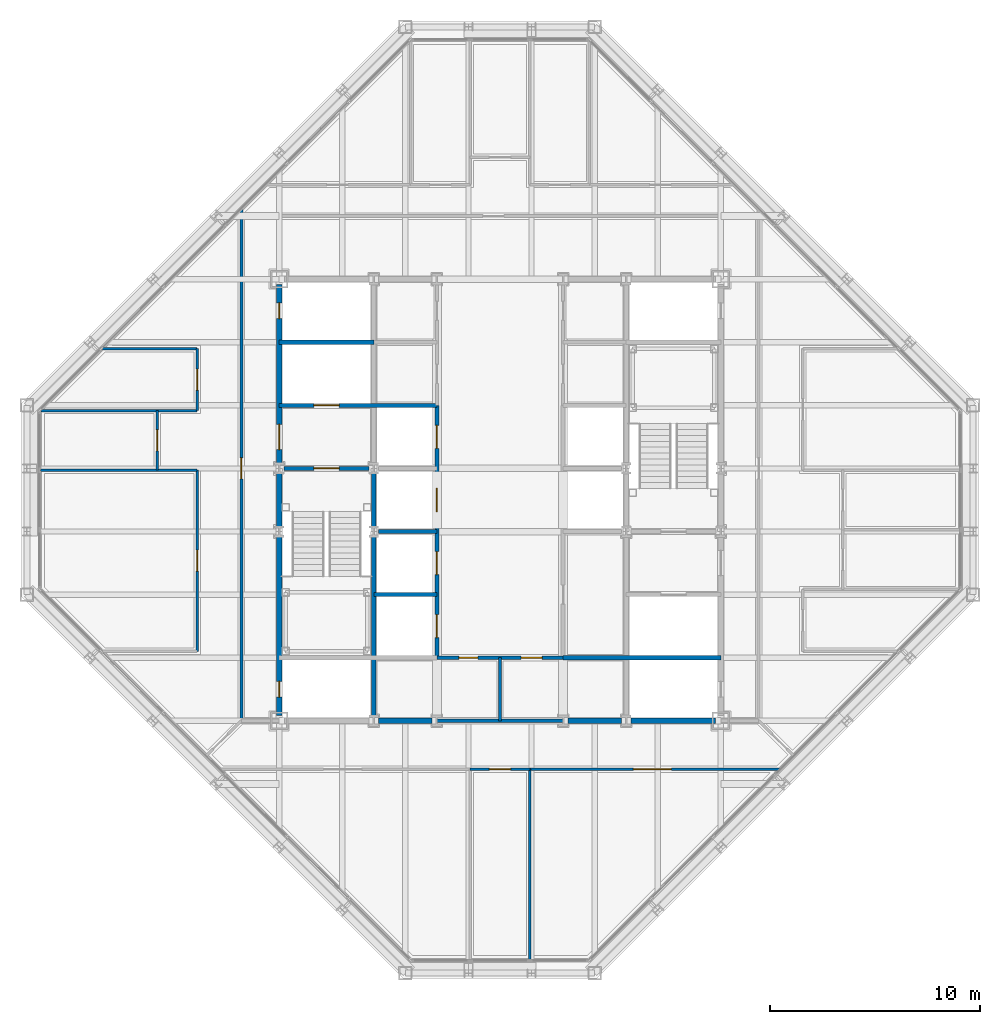
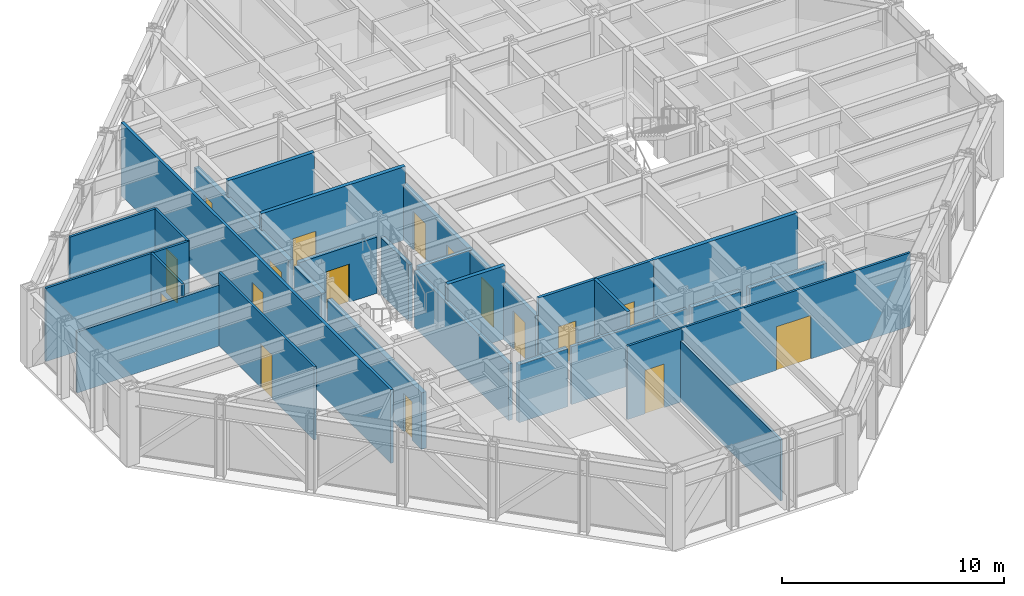
# One storey, part 10 of 15: 28 walls, 17 doors, 17 openings.
"""IFC4 building model written with IfcOpenShell, lengths in metres."""

from ifc_helpers import new_model, si_unit, direction, frame, frame_2d, origin, place, context, subcontext, project, spatial, rectangle, extrude, material, layer, layer_set, type_object, element, fill, save


model = new_model("IFC4")

# Units and contexts
model_context = context("Model", 3, precision=1e-05, world=origin(), true_north=direction((0.0, 1.0)))
body_context = subcontext(model_context, "Body", "Model", "MODEL_VIEW")
ifc_project = project(units=[si_unit("LENGTHUNIT", "METRE"), si_unit("AREAUNIT", "SQUARE_METRE"), si_unit("VOLUMEUNIT", "CUBIC_METRE"), si_unit("PLANEANGLEUNIT", "RADIAN"), si_unit("MASSUNIT", "GRAM", prefix="KILO")], contexts=[model_context])

# Site, building, storey
site_placement = place(None, origin())
site = spatial("IfcSite", under=ifc_project, at=site_placement, CompositionType="ELEMENT")
building_placement = place(site_placement, origin())
building = spatial("IfcBuilding", under=site, at=building_placement, Name="Chuquiago Exchange Tower", CompositionType="ELEMENT")
storey_placement = place(building_placement, frame((0.0, 0.0, 266.39990234375)))
storey = spatial("IfcBuildingStorey", under=building, at=storey_placement, Name="L59", CompositionType="ELEMENT", Elevation=266.39990234375)

# Wall, opening, door
ifc_material_1 = material(Name="Concrete masonry, fully grouted", Category="masonry")
ifc_layer_1 = layer(ifc_material_1, 0.25)
ifc_layer_set_1 = layer_set([ifc_layer_1], Name="W1 core wall 250")
wall_type_1 = type_object("IfcWallType", Name="W1 core wall 250", PredefinedType="SOLIDWALL", material=ifc_layer_set_1)
wall_1_placement = place(storey_placement, frame((12.0, 12.25, 0.0), z_axis=(0.0, 0.0, 1.0), x_axis=(0.0, 1.0, 0.0)))
wall_1 = element("IfcWall", 1, at=wall_1_placement, inside=storey, type_object=wall_type_1, Name="CW-L59-00-0", PredefinedType="SOLIDWALL", context=body_context, shape_type="SweptSolid", body=[
    extrude(rectangle(XDim=8.5, YDim=0.25, at=frame_2d((4.25, 0.0))), origin(), (0.0, 0.0, 1.0), 3.113037109375),
])
opening_1_placement = place(wall_1_placement, frame((0.875, 0.0, 0.0)))
opening_1 = element("IfcOpeningElement", 2, at=opening_1_placement, cuts=wall_1, Name="Opening L59-007", PredefinedType="OPENING", context=body_context, shape_type="SweptSolid", body=[
    extrude(rectangle(XDim=0.75, YDim=2.10009765625, at=frame_2d((0.375, 1.050048828125))), frame((0.0, 0.135009765625, 0.0), z_axis=(0.0, -1.0, 0.0), x_axis=(1.0, 0.0, 0.0)), (0.0, 0.0, 1.0), 0.27001953125),
])
ifc_material_2 = material(Name="Steel door, painted", Category="steel")
door_type_1 = type_object("IfcDoorType", Name="D6 riser access door 750x2100", OperationType="SINGLE_SWING_LEFT", PredefinedType="DOOR", material=ifc_material_2)
door_1_placement = place(opening_1_placement, frame((0.75, 0.0, 0.0), z_axis=(0.0, 0.0, 1.0), x_axis=(-1.0, 0.0, 0.0)))
door_1 = element("IfcDoor", 3, at=door_1_placement, inside=storey, type_object=door_type_1, Name="Riser RW1 door", OperationType="SINGLE_SWING_RIGHT", OverallHeight=2.10009765625, OverallWidth=0.75, PredefinedType="DOOR", context=body_context, shape_type="SweptSolid", body=[
    extrude(rectangle(XDim=0.75, YDim=2.10009765625, at=frame_2d((0.375, 1.050048828125))), frame((0.0, 0.02490234375, 0.0), z_axis=(0.0, -1.0, 0.0), x_axis=(1.0, 0.0, 0.0)), (0.0, 0.0, 1.0), 0.050048828125),
])
fill(opening_1, door_1)

# Wall
wall_2_placement = place(storey_placement, frame((12.0, 21.25, 0.0), z_axis=(0.0, 0.0, 1.0), x_axis=(0.0, 1.0, 0.0)))
element("IfcWall", 4, at=wall_2_placement, inside=storey, type_object=wall_type_1, Name="CW-L59-00-1", PredefinedType="SOLIDWALL", context=body_context, shape_type="SweptSolid", body=[
    extrude(rectangle(XDim=2.5, YDim=0.25, at=frame_2d((1.25, 0.0))), origin(), (0.0, 0.0, 1.0), 3.113037109375),
])

# Wall, openings, doors
wall_3_placement = place(storey_placement, frame((12.0, 24.25, 0.0), z_axis=(0.0, 0.0, 1.0), x_axis=(0.0, 1.0, 0.0)))
wall_3 = element("IfcWall", 5, at=wall_3_placement, inside=storey, type_object=wall_type_1, Name="CW-L59-00-2", PredefinedType="SOLIDWALL", context=body_context, shape_type="SweptSolid", body=[
    extrude(rectangle(XDim=8.5, YDim=0.25, at=frame_2d((4.25, 0.0))), origin(), (0.0, 0.0, 1.0), 3.113037109375),
])
opening_2_placement = place(wall_3_placement, frame((0.64990234375, 0.0, 0.0)))
opening_2 = element("IfcOpeningElement", 6, at=opening_2_placement, cuts=wall_3, Name="Opening L59-002", PredefinedType="OPENING", context=body_context, shape_type="SweptSolid", body=[
    extrude(rectangle(XDim=1.199951171875, YDim=2.10009765625, at=frame_2d((0.60009765625, 1.050048828125))), frame((0.0, 0.135009765625, 0.0), z_axis=(0.0, -1.0, 0.0), x_axis=(1.0, 0.0, 0.0)), (0.0, 0.0, 1.0), 0.27001953125),
])
opening_3_placement = place(wall_3_placement, frame((6.875, 0.0, 0.0)))
opening_3 = element("IfcOpeningElement", 7, at=opening_3_placement, cuts=wall_3, Name="Opening L59-008", PredefinedType="OPENING", context=body_context, shape_type="SweptSolid", body=[
    extrude(rectangle(XDim=0.75, YDim=2.10009765625, at=frame_2d((0.375, 1.050048828125))), frame((0.0, 0.135009765625, 0.0), z_axis=(0.0, -1.0, 0.0), x_axis=(1.0, 0.0, 0.0)), (0.0, 0.0, 1.0), 0.27001953125),
])
ifc_material_3 = material(Name="Steel door, painted", Category="steel")
door_type_2 = type_object("IfcDoorType", Name="D5 firefighting lobby door 1200x2100", OperationType="SINGLE_SWING_LEFT", PredefinedType="DOOR", material=ifc_material_3)
door_2_placement = place(opening_2_placement, frame((1.199951171875, 0.0, 0.0), z_axis=(0.0, 0.0, 1.0), x_axis=(-1.0, 0.0, 0.0)))
door_2 = element("IfcDoor", 8, at=door_2_placement, inside=storey, type_object=door_type_2, Name="Firefighting lobby 1 door", OperationType="SINGLE_SWING_RIGHT", OverallHeight=2.10009765625, OverallWidth=1.199951171875, PredefinedType="DOOR", context=body_context, shape_type="SweptSolid", body=[
    extrude(rectangle(XDim=1.199951171875, YDim=2.10009765625, at=frame_2d((0.60009765625, 1.050048828125))), frame((0.0, 0.02490234375, 0.0), z_axis=(0.0, -1.0, 0.0), x_axis=(1.0, 0.0, 0.0)), (0.0, 0.0, 1.0), 0.050048828125),
])
fill(opening_2, door_2)
door_3_placement = place(opening_3_placement, frame((0.75, 0.0, 0.0), z_axis=(0.0, 0.0, 1.0), x_axis=(-1.0, 0.0, 0.0)))
door_3 = element("IfcDoor", 9, at=door_3_placement, inside=storey, type_object=door_type_1, Name="Riser RW2 door", OperationType="SINGLE_SWING_LEFT", OverallHeight=2.10009765625, OverallWidth=0.75, PredefinedType="DOOR", context=body_context, shape_type="SweptSolid", body=[
    extrude(rectangle(XDim=0.75, YDim=2.10009765625, at=frame_2d((0.375, 1.050048828125))), frame((0.0, 0.02490234375, 0.0), z_axis=(0.0, -1.0, 0.0), x_axis=(1.0, 0.0, 0.0)), (0.0, 0.0, 1.0), 0.050048828125),
])
fill(opening_3, door_3)

# Walls
for number, where, z_axis, x_axis, name in (
    (10, (16.724853515625, 12.0, 0.0), (0.0, 0.0, 1.0), (1.0, 0.0, 0.0), "CW-L59-01-1"),
    (11, (25.724853515625, 12.0, 0.0), (0.0, 0.0, 1.0), (1.0, 0.0, 0.0), "CW-L59-02-0"),
):
    element("IfcWall", number, at=place(storey_placement, frame(where, z_axis=z_axis, x_axis=x_axis)), inside=storey, type_object=wall_type_1, Name=name, PredefinedType="SOLIDWALL", context=body_context, shape_type="SweptSolid", body=[
        extrude(rectangle(XDim=2.55029296875, YDim=0.25, at=frame_2d((1.275146484375, 0.0))), origin(), (0.0, 0.0, 1.0), 3.181640625),
    ])
wall_4_placement = place(storey_placement, frame((28.724853515625, 12.0, 0.0), z_axis=(0.0, 0.0, 1.0), x_axis=(1.0, 0.0, 0.0)))
element("IfcWall", 12, at=wall_4_placement, inside=storey, type_object=wall_type_1, Name="CW-L59-02-1", PredefinedType="SOLIDWALL", context=body_context, shape_type="SweptSolid", body=[
    extrude(rectangle(XDim=4.025146484375, YDim=0.25, at=frame_2d((2.0126953125, 0.0))), origin(), (0.0, 0.0, 1.0), 3.181640625),
])

# Wall, opening, door
ifc_material_4 = material(Name="Gypsum board on steel studs, acoustic insulation", Category="steel")
ifc_layer_2 = layer(ifc_material_4, 0.14990234375)
ifc_layer_set_2 = layer_set([ifc_layer_2], Name="W11 corridor wall 150")
wall_type_2 = type_object("IfcWallType", Name="W11 corridor wall 150", PredefinedType="PARTITIONING", material=ifc_layer_set_2)
wall_5_placement = place(storey_placement, frame((10.199951171875, 12.0, 0.0), z_axis=(0.0, 0.0, 1.0), x_axis=(0.0, 1.0, 0.0)))
wall_5 = element("IfcWall", 13, at=wall_5_placement, inside=storey, type_object=wall_type_2, Name="PW-L59-GW0", PredefinedType="PARTITIONING", context=body_context, shape_type="SweptSolid", body=[
    extrude(rectangle(XDim=24.314453125, YDim=0.14990234375, at=frame_2d((12.1572265625, 0.0))), origin(), (0.0, 0.0, 1.0), 4.0400390625),
])
opening_4_placement = place(wall_5_placement, frame((11.5, 0.0, 0.0)))
opening_4 = element("IfcOpeningElement", 14, at=opening_4_placement, cuts=wall_5, Name="Opening L59-038", PredefinedType="OPENING", context=body_context, shape_type="SweptSolid", body=[
    extrude(rectangle(XDim=1.0, YDim=2.39990234375, at=frame_2d((0.5, 1.199951171875))), frame((0.0, 0.0849609375, 0.0), z_axis=(0.0, -1.0, 0.0), x_axis=(1.0, 0.0, 0.0)), (0.0, 0.0, 1.0), 0.169921875),
])
ifc_material_5 = material(Name="Timber door, laminate faced", Category="wood")
door_type_3 = type_object("IfcDoorType", Name="D9 room door 1000x2400", OperationType="SINGLE_SWING_LEFT", PredefinedType="DOOR", material=ifc_material_5)
door_4_placement = place(opening_4_placement, origin())
door_4 = element("IfcDoor", 15, at=door_4_placement, inside=storey, type_object=door_type_3, Name="Team area door", OperationType="SINGLE_SWING_LEFT", OverallHeight=2.39990234375, OverallWidth=1.0, PredefinedType="DOOR", context=body_context, shape_type="SweptSolid", body=[
    extrude(rectangle(XDim=1.0, YDim=2.39990234375, at=frame_2d((0.5, 1.199951171875))), frame((0.0, 0.02490234375, 0.0), z_axis=(0.0, -1.0, 0.0), x_axis=(1.0, 0.0, 0.0)), (0.0, 0.0, 1.0), 0.050048828125),
])
fill(opening_4, door_4)

# Wall
ifc_material_6 = material(Name="Concrete masonry, fully grouted", Category="masonry")
ifc_layer_3 = layer(ifc_material_6, 0.199951171875)
ifc_layer_set_3 = layer_set([ifc_layer_3], Name="W2 shaft wall 200")
wall_type_3 = type_object("IfcWallType", Name="W2 shaft wall 200", PredefinedType="SOLIDWALL", material=ifc_layer_set_3)
wall_6_placement = place(storey_placement, frame((25.5, 15.0, 0.0), z_axis=(0.0, 0.0, 1.0), x_axis=(1.0, 0.0, 0.0)))
element("IfcWall", 16, at=wall_6_placement, inside=storey, type_object=wall_type_3, Name="CW-L59-04-0", PredefinedType="SOLIDWALL", context=body_context, shape_type="SweptSolid", body=[
    extrude(rectangle(XDim=7.5, YDim=0.199951171875, at=frame_2d((3.75, 0.0))), origin(), (0.0, 0.0, 1.0), 4.0400390625),
])

# Wall, opening, door
wall_7_placement = place(storey_placement, frame((12.224853515625, 24.0, 0.0), z_axis=(0.0, 0.0, 1.0), x_axis=(1.0, 0.0, 0.0)))
wall_7 = element("IfcWall", 17, at=wall_7_placement, inside=storey, type_object=wall_type_3, Name="CW-L59-05-0", PredefinedType="SOLIDWALL", context=body_context, shape_type="SweptSolid", body=[
    extrude(rectangle(XDim=4.05029296875, YDim=0.199951171875, at=frame_2d((2.025146484375, 0.0))), origin(), (0.0, 0.0, 1.0), 3.090087890625),
])
opening_5_placement = place(wall_7_placement, frame((1.42529296875, 0.0, 0.0)))
opening_5 = element("IfcOpeningElement", 18, at=opening_5_placement, cuts=wall_7, Name="Opening L59-001", PredefinedType="OPENING", context=body_context, shape_type="SweptSolid", body=[
    extrude(rectangle(XDim=1.199951171875, YDim=2.10009765625, at=frame_2d((0.60009765625, 1.050048828125))), frame((0.0, 0.10986328125, 0.0), z_axis=(0.0, -1.0, 0.0), x_axis=(1.0, 0.0, 0.0)), (0.0, 0.0, 1.0), 0.219970703125),
])
ifc_material_7 = material(Name="Steel door, painted", Category="steel")
door_type_4 = type_object("IfcDoorType", Name="D4 stair door 1200x2100", OperationType="SINGLE_SWING_LEFT", PredefinedType="DOOR", material=ifc_material_7)
door_5_placement = place(opening_5_placement, frame((1.199951171875, 0.0, 0.0), z_axis=(0.0, 0.0, 1.0), x_axis=(-1.0, 0.0, 0.0)))
door_5 = element("IfcDoor", 19, at=door_5_placement, inside=storey, type_object=door_type_4, Name="Stair ST1 door", OperationType="SINGLE_SWING_RIGHT", OverallHeight=2.10009765625, OverallWidth=1.199951171875, PredefinedType="DOOR", context=body_context, shape_type="SweptSolid", body=[
    extrude(rectangle(XDim=1.199951171875, YDim=2.10009765625, at=frame_2d((0.60009765625, 1.050048828125))), frame((0.0, 0.02490234375, 0.0), z_axis=(0.0, -1.0, 0.0), x_axis=(1.0, 0.0, 0.0)), (0.0, 0.0, 1.0), 0.050048828125),
])
fill(opening_5, door_5)

wall_8_placement = place(storey_placement, frame((12.0, 27.0, 0.0), z_axis=(0.0, 0.0, 1.0), x_axis=(1.0, 0.0, 0.0)))
wall_8 = element("IfcWall", 20, at=wall_8_placement, inside=storey, type_object=wall_type_3, Name="CW-L59-07-0", PredefinedType="SOLIDWALL", context=body_context, shape_type="SweptSolid", body=[
    extrude(rectangle(XDim=7.5, YDim=0.199951171875, at=frame_2d((3.75, 0.0))), origin(), (0.0, 0.0, 1.0), 4.0400390625),
])
opening_6_placement = place(wall_8_placement, frame((1.64990234375, 0.0, 0.0)))
opening_6 = element("IfcOpeningElement", 21, at=opening_6_placement, cuts=wall_8, Name="Opening L59-005", PredefinedType="OPENING", context=body_context, shape_type="SweptSolid", body=[
    extrude(rectangle(XDim=1.199951171875, YDim=2.10009765625, at=frame_2d((0.60009765625, 1.050048828125))), frame((0.0, 0.10986328125, 0.0), z_axis=(0.0, -1.0, 0.0), x_axis=(1.0, 0.0, 0.0)), (0.0, 0.0, 1.0), 0.219970703125),
])
ifc_material_8 = material(Name="Stainless steel lift landing door", Category="steel")
door_type_5 = type_object("IfcDoorType", Name="LD2 firefighting lift landing door 1200x2100", OperationType="DOUBLE_DOOR_SLIDING", PredefinedType="DOOR", material=ifc_material_8)
door_6_placement = place(opening_6_placement, origin())
door_6 = element("IfcDoor", 22, at=door_6_placement, inside=storey, type_object=door_type_5, Name="Firefighting lift FL1 landing door", OperationType="DOUBLE_DOOR_SLIDING", OverallHeight=2.10009765625, OverallWidth=1.199951171875, PredefinedType="DOOR", context=body_context, shape_type="SweptSolid", body=[
    extrude(rectangle(XDim=1.199951171875, YDim=2.10009765625, at=frame_2d((0.60009765625, 1.050048828125))), frame((0.0, 0.02490234375, 0.0), z_axis=(0.0, -1.0, 0.0), x_axis=(1.0, 0.0, 0.0)), (0.0, 0.0, 1.0), 0.050048828125),
])
fill(opening_6, door_6)

# Walls
wall_9_placement = place(storey_placement, frame((12.0, 30.0, 0.0), z_axis=(0.0, 0.0, 1.0), x_axis=(1.0, 0.0, 0.0)))
element("IfcWall", 23, at=wall_9_placement, inside=storey, type_object=wall_type_3, Name="CW-L59-09-0", PredefinedType="SOLIDWALL", context=body_context, shape_type="SweptSolid", body=[
    extrude(rectangle(XDim=4.5, YDim=0.199951171875, at=frame_2d((2.25, 0.0))), origin(), (0.0, 0.0, 1.0), 4.0400390625),
])
wall_10_placement = place(storey_placement, frame((16.5, 12.25, 0.0), z_axis=(0.0, 0.0, 1.0), x_axis=(0.0, 1.0, 0.0)))
element("IfcWall", 24, at=wall_10_placement, inside=storey, type_object=wall_type_3, Name="CW-L59-13-0", PredefinedType="SOLIDWALL", context=body_context, shape_type="SweptSolid", body=[
    extrude(rectangle(XDim=8.5, YDim=0.199951171875, at=frame_2d((4.25, 0.0))), origin(), (0.0, 0.0, 1.0), 3.113037109375),
])
wall_11_placement = place(storey_placement, frame((16.5, 21.25, 0.0), z_axis=(0.0, 0.0, 1.0), x_axis=(0.0, 1.0, 0.0)))
element("IfcWall", 25, at=wall_11_placement, inside=storey, type_object=wall_type_3, Name="CW-L59-13-1", PredefinedType="SOLIDWALL", context=body_context, shape_type="SweptSolid", body=[
    extrude(rectangle(XDim=2.5, YDim=0.199951171875, at=frame_2d((1.25, 0.0))), origin(), (0.0, 0.0, 1.0), 3.113037109375),
])
wall_12_placement = place(storey_placement, frame((16.5, 18.0, 0.0), z_axis=(0.0, 0.0, 1.0), x_axis=(1.0, 0.0, 0.0)))
element("IfcWall", 26, at=wall_12_placement, inside=storey, type_object=wall_type_3, Name="CW-L59-14-0", PredefinedType="SOLIDWALL", context=body_context, shape_type="SweptSolid", body=[
    extrude(rectangle(XDim=3.0, YDim=0.199951171875, at=frame_2d((1.5, 0.0))), origin(), (0.0, 0.0, 1.0), 4.0400390625),
])
wall_13_placement = place(storey_placement, frame((16.724853515625, 21.0, 0.0), z_axis=(0.0, 0.0, 1.0), x_axis=(1.0, 0.0, 0.0)))
element("IfcWall", 27, at=wall_13_placement, inside=storey, type_object=wall_type_3, Name="CW-L59-16-0", PredefinedType="SOLIDWALL", context=body_context, shape_type="SweptSolid", body=[
    extrude(rectangle(XDim=2.775146484375, YDim=0.199951171875, at=frame_2d((1.3876953125, 0.0))), origin(), (0.0, 0.0, 1.0), 3.090087890625),
])

# Wall, openings, doors
wall_14_placement = place(storey_placement, frame((19.5, 15.0, 0.0), z_axis=(0.0, 0.0, 1.0), x_axis=(0.0, 1.0, 0.0)))
wall_14 = element("IfcWall", 28, at=wall_14_placement, inside=storey, type_object=wall_type_3, Name="CW-L59-19-0", PredefinedType="SOLIDWALL", context=body_context, shape_type="SweptSolid", body=[
    extrude(rectangle(XDim=12.0, YDim=0.199951171875, at=frame_2d((6.0, 0.0))), origin(), (0.0, 0.0, 1.0), 3.064697265625),
])
opening_7_placement = place(wall_14_placement, frame((0.949951171875, 0.0, 0.0)))
opening_7 = element("IfcOpeningElement", 29, at=opening_7_placement, cuts=wall_14, Name="Opening L59-018", PredefinedType="OPENING", context=body_context, shape_type="SweptSolid", body=[
    extrude(rectangle(XDim=1.10009765625, YDim=2.10009765625, at=frame_2d((0.550048828125, 1.050048828125))), frame((0.0, 0.10986328125, 0.0), z_axis=(0.0, -1.0, 0.0), x_axis=(1.0, 0.0, 0.0)), (0.0, 0.0, 1.0), 0.219970703125),
])
opening_8_placement = place(wall_14_placement, frame((3.949951171875, 0.0, 0.0)))
opening_8 = element("IfcOpeningElement", 30, at=opening_8_placement, cuts=wall_14, Name="Opening L59-019", PredefinedType="OPENING", context=body_context, shape_type="SweptSolid", body=[
    extrude(rectangle(XDim=1.10009765625, YDim=2.10009765625, at=frame_2d((0.550048828125, 1.050048828125))), frame((0.0, 0.10986328125, 0.0), z_axis=(0.0, -1.0, 0.0), x_axis=(1.0, 0.0, 0.0)), (0.0, 0.0, 1.0), 0.219970703125),
])
opening_9_placement = place(wall_14_placement, frame((6.949951171875, 0.0, 0.0)))
opening_9 = element("IfcOpeningElement", 31, at=opening_9_placement, cuts=wall_14, Name="Opening L59-020", PredefinedType="OPENING", context=body_context, shape_type="SweptSolid", body=[
    extrude(rectangle(XDim=1.10009765625, YDim=2.10009765625, at=frame_2d((0.550048828125, 1.050048828125))), frame((0.0, 0.10986328125, 0.0), z_axis=(0.0, -1.0, 0.0), x_axis=(1.0, 0.0, 0.0)), (0.0, 0.0, 1.0), 0.219970703125),
])
opening_10_placement = place(wall_14_placement, frame((9.949951171875, 0.0, 0.0)))
opening_10 = element("IfcOpeningElement", 32, at=opening_10_placement, cuts=wall_14, Name="Opening L59-021", PredefinedType="OPENING", context=body_context, shape_type="SweptSolid", body=[
    extrude(rectangle(XDim=1.10009765625, YDim=2.10009765625, at=frame_2d((0.550048828125, 1.050048828125))), frame((0.0, 0.10986328125, 0.0), z_axis=(0.0, -1.0, 0.0), x_axis=(1.0, 0.0, 0.0)), (0.0, 0.0, 1.0), 0.219970703125),
])
ifc_material_9 = material(Name="Stainless steel lift landing door", Category="steel")
door_type_6 = type_object("IfcDoorType", Name="LD1 lift landing door 1100x2100", OperationType="DOUBLE_DOOR_SLIDING", PredefinedType="DOOR", material=ifc_material_9)
door_7_placement = place(opening_7_placement, origin())
door_7 = element("IfcDoor", 33, at=door_7_placement, inside=storey, type_object=door_type_6, Name="Lift LD1 landing door", OperationType="DOUBLE_DOOR_SLIDING", OverallHeight=2.10009765625, OverallWidth=1.10009765625, PredefinedType="DOOR", context=body_context, shape_type="SweptSolid", body=[
    extrude(rectangle(XDim=1.10009765625, YDim=2.10009765625, at=frame_2d((0.550048828125, 1.050048828125))), frame((0.0, 0.02490234375, 0.0), z_axis=(0.0, -1.0, 0.0), x_axis=(1.0, 0.0, 0.0)), (0.0, 0.0, 1.0), 0.050048828125),
])
fill(opening_7, door_7)
door_8_placement = place(opening_8_placement, origin())
door_8 = element("IfcDoor", 34, at=door_8_placement, inside=storey, type_object=door_type_6, Name="Lift LD2 landing door", OperationType="DOUBLE_DOOR_SLIDING", OverallHeight=2.10009765625, OverallWidth=1.10009765625, PredefinedType="DOOR", context=body_context, shape_type="SweptSolid", body=[
    extrude(rectangle(XDim=1.10009765625, YDim=2.10009765625, at=frame_2d((0.550048828125, 1.050048828125))), frame((0.0, 0.02490234375, 0.0), z_axis=(0.0, -1.0, 0.0), x_axis=(1.0, 0.0, 0.0)), (0.0, 0.0, 1.0), 0.050048828125),
])
fill(opening_8, door_8)
door_9_placement = place(opening_9_placement, origin())
door_9 = element("IfcDoor", 35, at=door_9_placement, inside=storey, type_object=door_type_6, Name="Lift LD3 landing door", OperationType="DOUBLE_DOOR_SLIDING", OverallHeight=2.10009765625, OverallWidth=1.10009765625, PredefinedType="DOOR", context=body_context, shape_type="SweptSolid", body=[
    extrude(rectangle(XDim=1.10009765625, YDim=2.10009765625, at=frame_2d((0.550048828125, 1.050048828125))), frame((0.0, 0.02490234375, 0.0), z_axis=(0.0, -1.0, 0.0), x_axis=(1.0, 0.0, 0.0)), (0.0, 0.0, 1.0), 0.050048828125),
])
fill(opening_9, door_9)
door_10_placement = place(opening_10_placement, origin())
door_10 = element("IfcDoor", 36, at=door_10_placement, inside=storey, type_object=door_type_6, Name="Lift LD4 landing door", OperationType="DOUBLE_DOOR_SLIDING", OverallHeight=2.10009765625, OverallWidth=1.10009765625, PredefinedType="DOOR", context=body_context, shape_type="SweptSolid", body=[
    extrude(rectangle(XDim=1.10009765625, YDim=2.10009765625, at=frame_2d((0.550048828125, 1.050048828125))), frame((0.0, 0.02490234375, 0.0), z_axis=(0.0, -1.0, 0.0), x_axis=(1.0, 0.0, 0.0)), (0.0, 0.0, 1.0), 0.050048828125),
])
fill(opening_10, door_10)

ifc_material_10 = material(Name="Gypsum board on steel studs", Category="steel")
ifc_layer_4 = layer(ifc_material_10, 0.14990234375)
ifc_layer_set_4 = layer_set([ifc_layer_4], Name="W3 core partition 150")
wall_type_4 = type_object("IfcWallType", Name="W3 core partition 150", PredefinedType="PARTITIONING", material=ifc_layer_set_4)
wall_15_placement = place(storey_placement, frame((19.5, 15.0, 0.0), z_axis=(0.0, 0.0, 1.0), x_axis=(1.0, 0.0, 0.0)))
wall_15 = element("IfcWall", 37, at=wall_15_placement, inside=storey, type_object=wall_type_4, Name="CW-L59-TF", PredefinedType="PARTITIONING", context=body_context, shape_type="SweptSolid", body=[
    extrude(rectangle(XDim=6.0, YDim=0.14990234375, at=frame_2d((3.0, 0.0))), origin(), (0.0, 0.0, 1.0), 4.0400390625),
])
opening_11_placement = place(wall_15_placement, frame((4.0, 0.0, 0.0)))
opening_11 = element("IfcOpeningElement", 38, at=opening_11_placement, cuts=wall_15, Name="Opening L59-015", PredefinedType="OPENING", context=body_context, shape_type="SweptSolid", body=[
    extrude(rectangle(XDim=1.0, YDim=2.10009765625, at=frame_2d((0.5, 1.050048828125))), frame((0.0, 0.0849609375, 0.0), z_axis=(0.0, -1.0, 0.0), x_axis=(1.0, 0.0, 0.0)), (0.0, 0.0, 1.0), 0.169921875),
])
opening_12_placement = place(wall_15_placement, frame((1.050048828125, 0.0, 0.0)))
opening_12 = element("IfcOpeningElement", 39, at=opening_12_placement, cuts=wall_15, Name="Opening L59-017", PredefinedType="OPENING", context=body_context, shape_type="SweptSolid", body=[
    extrude(rectangle(XDim=0.89990234375, YDim=2.10009765625, at=frame_2d((0.449951171875, 1.050048828125))), frame((0.0, 0.0849609375, 0.0), z_axis=(0.0, -1.0, 0.0), x_axis=(1.0, 0.0, 0.0)), (0.0, 0.0, 1.0), 0.169921875),
])
ifc_material_11 = material(Name="Timber door, laminate faced", Category="wood")
door_type_7 = type_object("IfcDoorType", Name="D7 toilet door 900x2100", OperationType="SINGLE_SWING_LEFT", PredefinedType="DOOR", material=ifc_material_11)
door_11_placement = place(opening_12_placement, origin())
door_11 = element("IfcDoor", 40, at=door_11_placement, inside=storey, type_object=door_type_7, Name="Cleaner door", OperationType="SINGLE_SWING_LEFT", OverallHeight=2.10009765625, OverallWidth=0.89990234375, PredefinedType="DOOR", context=body_context, shape_type="SweptSolid", body=[
    extrude(rectangle(XDim=0.89990234375, YDim=2.10009765625, at=frame_2d((0.449951171875, 1.050048828125))), frame((0.0, 0.02490234375, 0.0), z_axis=(0.0, -1.0, 0.0), x_axis=(1.0, 0.0, 0.0)), (0.0, 0.0, 1.0), 0.050048828125),
])
fill(opening_12, door_11)
ifc_material_12 = material(Name="Timber door, laminate faced", Category="wood")
door_type_8 = type_object("IfcDoorType", Name="D8 accessible toilet door 1000x2100", OperationType="SLIDING_TO_LEFT", PredefinedType="DOOR", material=ifc_material_12)
door_12_placement = place(opening_11_placement, origin())
door_12 = element("IfcDoor", 41, at=door_12_placement, inside=storey, type_object=door_type_8, Name="Accessible WC door", OperationType="SLIDING_TO_LEFT", OverallHeight=2.10009765625, OverallWidth=1.0, PredefinedType="DOOR", context=body_context, shape_type="SweptSolid", body=[
    extrude(rectangle(XDim=1.0, YDim=2.10009765625, at=frame_2d((0.5, 1.050048828125))), frame((0.0, 0.02490234375, 0.0), z_axis=(0.0, -1.0, 0.0), x_axis=(1.0, 0.0, 0.0)), (0.0, 0.0, 1.0), 0.050048828125),
])
fill(opening_11, door_12)

# Walls
wall_16_placement = place(storey_placement, frame((22.5, 15.0, 0.0), z_axis=(0.0, 0.0, 1.0), x_axis=(0.0, -1.0, 0.0)))
element("IfcWall", 42, at=wall_16_placement, inside=storey, type_object=wall_type_4, Name="CW-L59-TM", PredefinedType="PARTITIONING", context=body_context, shape_type="SweptSolid", body=[
    extrude(rectangle(XDim=3.0, YDim=0.14990234375, at=frame_2d((1.5, 0.0))), origin(), (0.0, 0.0, 1.0), 4.0400390625),
])
wall_17_placement = place(storey_placement, frame((19.5, 12.0, 0.0), z_axis=(0.0, 0.0, 1.0), x_axis=(1.0, 0.0, 0.0)))
element("IfcWall", 43, at=wall_17_placement, inside=storey, type_object=wall_type_4, Name="CW-L59-TB", PredefinedType="PARTITIONING", context=body_context, shape_type="SweptSolid", body=[
    extrude(rectangle(XDim=6.0, YDim=0.14990234375, at=frame_2d((3.0, 0.0))), origin(), (0.0, 0.0, 1.0), 3.181640625),
])
ifc_material_13 = material(Name="Gypsum board on steel studs", Category="steel")
ifc_layer_5 = layer(ifc_material_13, 0.1201171875)
ifc_layer_set_5 = layer_set([ifc_layer_5], Name="W4 partition 120")
wall_type_5 = type_object("IfcWallType", Name="W4 partition 120", PredefinedType="PARTITIONING", material=ifc_layer_set_5)
wall_18_placement = place(storey_placement, frame((23.917236328125, 0.652587890625, 0.0), z_axis=(0.0, 0.0, 1.0), x_axis=(0.0, 1.0, 0.0)))
element("IfcWall", 44, at=wall_18_placement, inside=storey, type_object=wall_type_5, Name="PW-L59-S02392", PredefinedType="PARTITIONING", context=body_context, shape_type="SweptSolid", body=[
    extrude(rectangle(XDim=9.04736328125, YDim=0.1201171875, at=frame_2d((4.523681640625, 0.0))), origin(), (0.0, 0.0, 1.0), 3.35693359375),
])

# Wall, opening, door
wall_19_placement = place(storey_placement, frame((21.082763671875, 9.699951171875, 0.0), z_axis=(0.0, 0.0, 1.0), x_axis=(1.0, 0.0, 0.0)))
wall_19 = element("IfcWall", 45, at=wall_19_placement, inside=storey, type_object=wall_type_5, Name="PW-L59-SF02108", PredefinedType="PARTITIONING", context=body_context, shape_type="SweptSolid", body=[
    extrude(rectangle(XDim=2.83447265625, YDim=0.1201171875, at=frame_2d((1.417236328125, 0.0))), origin(), (0.0, 0.0, 1.0), 4.0400390625),
])
opening_13_placement = place(wall_19_placement, frame((0.917236328125, 0.0, 0.0)))
opening_13 = element("IfcOpeningElement", 46, at=opening_13_placement, cuts=wall_19, Name="Opening L59-023", PredefinedType="OPENING", context=body_context, shape_type="SweptSolid", body=[
    extrude(rectangle(XDim=1.0, YDim=2.39990234375, at=frame_2d((0.5, 1.199951171875))), frame((0.0, 0.070068359375, 0.0), z_axis=(0.0, -1.0, 0.0), x_axis=(1.0, 0.0, 0.0)), (0.0, 0.0, 1.0), 0.14013671875),
])
door_13_placement = place(opening_13_placement, frame((1.0, 0.0, 0.0), z_axis=(0.0, 0.0, 1.0), x_axis=(-1.0, 0.0, 0.0)))
door_13 = element("IfcDoor", 47, at=door_13_placement, inside=storey, type_object=door_type_3, Name="Executive office door", OperationType="SINGLE_SWING_RIGHT", OverallHeight=2.39990234375, OverallWidth=1.0, PredefinedType="DOOR", context=body_context, shape_type="SweptSolid", body=[
    extrude(rectangle(XDim=1.0, YDim=2.39990234375, at=frame_2d((0.5, 1.199951171875))), frame((0.0, 0.02490234375, 0.0), z_axis=(0.0, -1.0, 0.0), x_axis=(1.0, 0.0, 0.0)), (0.0, 0.0, 1.0), 0.050048828125),
])
fill(opening_13, door_13)

wall_20_placement = place(storey_placement, frame((23.917236328125, 9.699951171875, 0.0), z_axis=(0.0, 0.0, 1.0), x_axis=(1.0, 0.0, 0.0)))
wall_20 = element("IfcWall", 48, at=wall_20_placement, inside=storey, type_object=wall_type_5, Name="PW-L59-SF02392", PredefinedType="PARTITIONING", context=body_context, shape_type="SweptSolid", body=[
    extrude(rectangle(XDim=11.897216796875, YDim=0.1201171875, at=frame_2d((5.94873046875, 0.0))), origin(), (0.0, 0.0, 1.0), 4.0400390625),
])
opening_14_placement = place(wall_20_placement, frame((4.92919921875, 0.0, 0.0)))
opening_14 = element("IfcOpeningElement", 49, at=opening_14_placement, cuts=wall_20, Name="Opening L59-024", PredefinedType="OPENING", context=body_context, shape_type="SweptSolid", body=[
    extrude(rectangle(XDim=1.800048828125, YDim=2.39990234375, at=frame_2d((0.89990234375, 1.199951171875))), frame((0.0, 0.070068359375, 0.0), z_axis=(0.0, -1.0, 0.0), x_axis=(1.0, 0.0, 0.0)), (0.0, 0.0, 1.0), 0.14013671875),
])
ifc_material_14 = material(Name="Timber door pair, laminate faced", Category="wood")
door_type_9 = type_object("IfcDoorType", Name="D15 double room door 1800x2400", OperationType="DOUBLE_DOOR_DOUBLE_SWING", PredefinedType="DOOR", material=ifc_material_14)
door_14_placement = place(opening_14_placement, origin())
door_14 = element("IfcDoor", 50, at=door_14_placement, inside=storey, type_object=door_type_9, Name="Dining room door", OperationType="DOUBLE_DOOR_DOUBLE_SWING", OverallHeight=2.39990234375, OverallWidth=1.800048828125, PredefinedType="DOOR", context=body_context, shape_type="SweptSolid", body=[
    extrude(rectangle(XDim=1.800048828125, YDim=2.39990234375, at=frame_2d((0.89990234375, 1.199951171875))), frame((0.0, 0.02490234375, 0.0), z_axis=(0.0, -1.0, 0.0), x_axis=(1.0, 0.0, 0.0)), (0.0, 0.0, 1.0), 0.050048828125),
])
fill(opening_14, door_14)

# Walls
wall_21_placement = place(storey_placement, frame((0.652587890625, 23.917236328125, 0.0), z_axis=(0.0, 0.0, 1.0), x_axis=(1.0, 0.0, 0.0)))
element("IfcWall", 51, at=wall_21_placement, inside=storey, type_object=wall_type_5, Name="PW-L59-W02392", PredefinedType="PARTITIONING", context=body_context, shape_type="SweptSolid", body=[
    extrude(rectangle(XDim=7.447509765625, YDim=0.1201171875, at=frame_2d((3.7236328125, 0.0))), origin(), (0.0, 0.0, 1.0), 3.35693359375),
])
wall_22_placement = place(storey_placement, frame((0.666015625, 26.75146484375, 0.0), z_axis=(0.0, 0.0, 1.0), x_axis=(1.0, 0.0, 0.0)))
element("IfcWall", 52, at=wall_22_placement, inside=storey, type_object=wall_type_5, Name="PW-L59-W02675", PredefinedType="PARTITIONING", context=body_context, shape_type="SweptSolid", body=[
    extrude(rectangle(XDim=7.43408203125, YDim=0.1201171875, at=frame_2d((3.717041015625, 0.0))), origin(), (0.0, 0.0, 1.0), 4.0400390625),
])
wall_23_placement = place(storey_placement, frame((3.607421875, 29.69287109375, 0.0), z_axis=(0.0, 0.0, 1.0), x_axis=(1.0, 0.0, 0.0)))
element("IfcWall", 53, at=wall_23_placement, inside=storey, type_object=wall_type_5, Name="PW-L59-W02969", PredefinedType="PARTITIONING", context=body_context, shape_type="SweptSolid", body=[
    extrude(rectangle(XDim=4.49267578125, YDim=0.1201171875, at=frame_2d((2.246337890625, 0.0))), origin(), (0.0, 0.0, 1.0), 4.0400390625),
])

# Wall, opening, door
wall_24_placement = place(storey_placement, frame((8.10009765625, 15.30712890625, 0.0), z_axis=(0.0, 0.0, 1.0), x_axis=(0.0, 1.0, 0.0)))
wall_24 = element("IfcWall", 54, at=wall_24_placement, inside=storey, type_object=wall_type_5, Name="PW-L59-WF01531", PredefinedType="PARTITIONING", context=body_context, shape_type="SweptSolid", body=[
    extrude(rectangle(XDim=8.610107421875, YDim=0.1201171875, at=frame_2d((4.30517578125, 0.0))), origin(), (0.0, 0.0, 1.0), 4.0400390625),
])
opening_15_placement = place(wall_24_placement, frame((3.80517578125, 0.0, 0.0)))
opening_15 = element("IfcOpeningElement", 55, at=opening_15_placement, cuts=wall_24, Name="Opening L59-034", PredefinedType="OPENING", context=body_context, shape_type="SweptSolid", body=[
    extrude(rectangle(XDim=1.0, YDim=2.39990234375, at=frame_2d((0.5, 1.199951171875))), frame((0.0, 0.070068359375, 0.0), z_axis=(0.0, -1.0, 0.0), x_axis=(1.0, 0.0, 0.0)), (0.0, 0.0, 1.0), 0.14013671875),
])
door_15_placement = place(opening_15_placement, origin())
door_15 = element("IfcDoor", 56, at=door_15_placement, inside=storey, type_object=door_type_3, Name="Executive office door", OperationType="SINGLE_SWING_RIGHT", OverallHeight=2.39990234375, OverallWidth=1.0, PredefinedType="DOOR", context=body_context, shape_type="SweptSolid", body=[
    extrude(rectangle(XDim=1.0, YDim=2.39990234375, at=frame_2d((0.5, 1.199951171875))), frame((0.0, 0.02490234375, 0.0), z_axis=(0.0, -1.0, 0.0), x_axis=(1.0, 0.0, 0.0)), (0.0, 0.0, 1.0), 0.050048828125),
])
fill(opening_15, door_15)

wall_25_placement = place(storey_placement, frame((6.199951171875, 23.917236328125, 0.0), z_axis=(0.0, 0.0, 1.0), x_axis=(0.0, 1.0, 0.0)))
wall_25 = element("IfcWall", 57, at=wall_25_placement, inside=storey, type_object=wall_type_5, Name="PW-L59-WF02392", PredefinedType="PARTITIONING", context=body_context, shape_type="SweptSolid", body=[
    extrude(rectangle(XDim=2.834228515625, YDim=0.1201171875, at=frame_2d((1.4169921875, 0.0))), origin(), (0.0, 0.0, 1.0), 4.0400390625),
])
opening_16_placement = place(wall_25_placement, frame((0.9169921875, 0.0, 0.0)))
opening_16 = element("IfcOpeningElement", 58, at=opening_16_placement, cuts=wall_25, Name="Opening L59-035", PredefinedType="OPENING", context=body_context, shape_type="SweptSolid", body=[
    extrude(rectangle(XDim=1.0, YDim=2.39990234375, at=frame_2d((0.5, 1.199951171875))), frame((0.0, 0.070068359375, 0.0), z_axis=(0.0, -1.0, 0.0), x_axis=(1.0, 0.0, 0.0)), (0.0, 0.0, 1.0), 0.14013671875),
])
ifc_material_15 = material(Name="Timber frame door, full height glazed panel", Category="wood")
door_type_10 = type_object("IfcDoorType", Name="D14 glazed meeting room door 1000x2400", OperationType="SINGLE_SWING_LEFT", PredefinedType="DOOR", material=ifc_material_15)
door_16_placement = place(opening_16_placement, origin())
door_16 = element("IfcDoor", 59, at=door_16_placement, inside=storey, type_object=door_type_10, Name="Wellness room door", OperationType="SINGLE_SWING_LEFT", OverallHeight=2.39990234375, OverallWidth=1.0, PredefinedType="DOOR", context=body_context, shape_type="SweptSolid", body=[
    extrude(rectangle(XDim=1.0, YDim=2.39990234375, at=frame_2d((0.5, 1.199951171875))), frame((0.0, 0.02490234375, 0.0), z_axis=(0.0, -1.0, 0.0), x_axis=(1.0, 0.0, 0.0)), (0.0, 0.0, 1.0), 0.050048828125),
])
fill(opening_16, door_16)

wall_26_placement = place(storey_placement, frame((8.10009765625, 26.75146484375, 0.0), z_axis=(0.0, 0.0, 1.0), x_axis=(0.0, 1.0, 0.0)))
wall_26 = element("IfcWall", 60, at=wall_26_placement, inside=storey, type_object=wall_type_5, Name="PW-L59-WF02675", PredefinedType="PARTITIONING", context=body_context, shape_type="SweptSolid", body=[
    extrude(rectangle(XDim=2.94140625, YDim=0.1201171875, at=frame_2d((1.470703125, 0.0))), origin(), (0.0, 0.0, 1.0), 4.0400390625),
])
opening_17_placement = place(wall_26_placement, frame((0.970703125, 0.0, 0.0)))
opening_17 = element("IfcOpeningElement", 61, at=opening_17_placement, cuts=wall_26, Name="Opening L59-036", PredefinedType="OPENING", context=body_context, shape_type="SweptSolid", body=[
    extrude(rectangle(XDim=1.0, YDim=2.39990234375, at=frame_2d((0.5, 1.199951171875))), frame((0.0, 0.070068359375, 0.0), z_axis=(0.0, -1.0, 0.0), x_axis=(1.0, 0.0, 0.0)), (0.0, 0.0, 1.0), 0.14013671875),
])
door_17_placement = place(opening_17_placement, origin())
door_17 = element("IfcDoor", 62, at=door_17_placement, inside=storey, type_object=door_type_3, Name="Office door", OperationType="SINGLE_SWING_LEFT", OverallHeight=2.39990234375, OverallWidth=1.0, PredefinedType="DOOR", context=body_context, shape_type="SweptSolid", body=[
    extrude(rectangle(XDim=1.0, YDim=2.39990234375, at=frame_2d((0.5, 1.199951171875))), frame((0.0, 0.02490234375, 0.0), z_axis=(0.0, -1.0, 0.0), x_axis=(1.0, 0.0, 0.0)), (0.0, 0.0, 1.0), 0.050048828125),
])
fill(opening_17, door_17)

save(model, "model.ifc")
